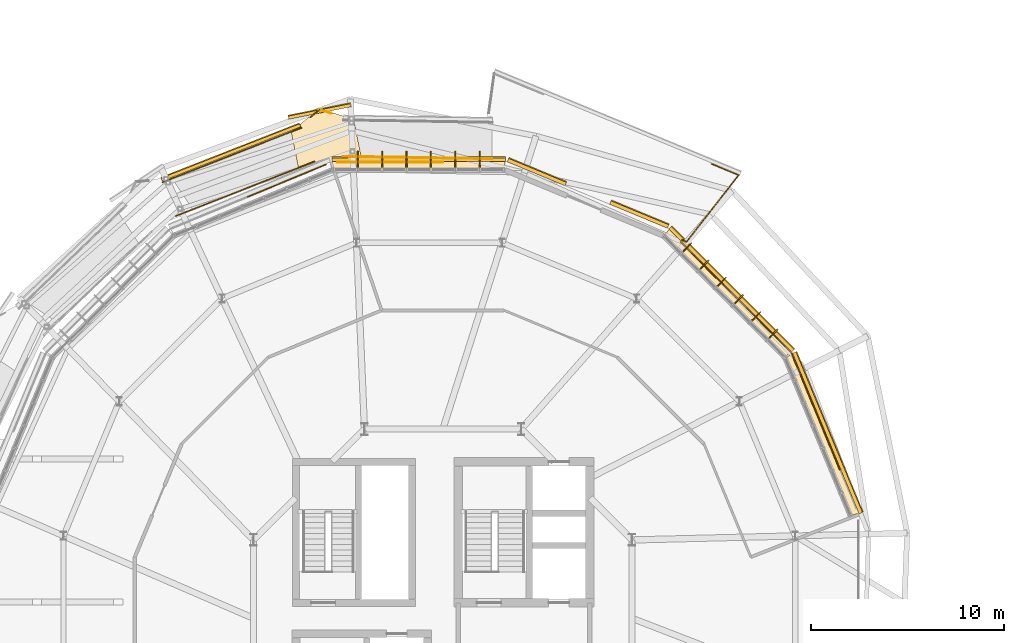
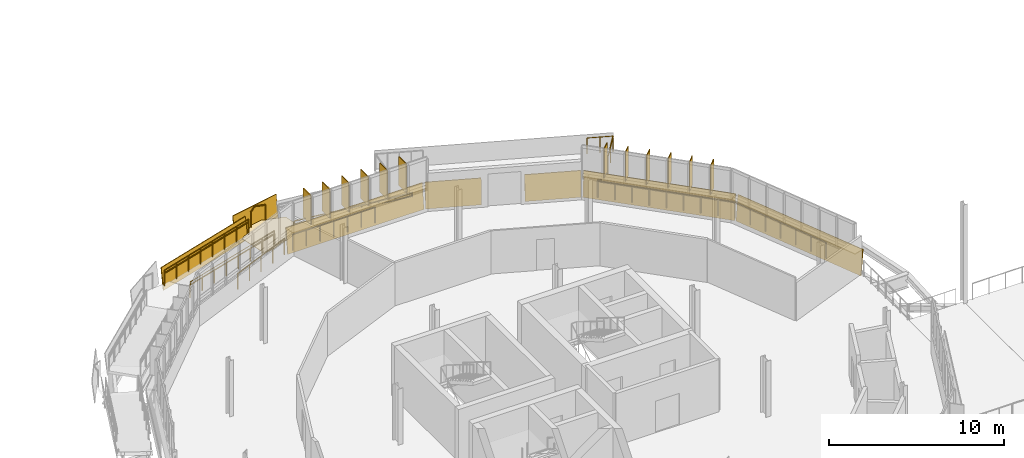
# One storey, part 58 of 61: 24 railings, 12 shading devices, 11 coverings.
"""IFC4 building model written with IfcOpenShell, lengths in metres."""

from ifc_helpers import new_model, si_unit, derived_unit, direction, frame, origin, origin_2d, place, context, subcontext, project, spatial, polyline, rectangle, circle, outline, extrude, material, layer, layer_set, type_object, element, save


model = new_model("IFC4")

# Units and contexts
model_context = context("Model", 3, precision=1e-05, world=origin(), true_north=direction((0.0, 1.0)))
body_context = subcontext(model_context, "Body", "Model", "MODEL_VIEW")
ifc_project = project(units=[si_unit("LENGTHUNIT", "METRE"), si_unit("AREAUNIT", "SQUARE_METRE"), si_unit("VOLUMEUNIT", "CUBIC_METRE"), si_unit("PLANEANGLEUNIT", "RADIAN"), si_unit("MASSUNIT", "GRAM", prefix="KILO"), derived_unit("THERMALTRANSMITTANCEUNIT", [(si_unit("MASSUNIT", "GRAM", prefix="KILO"), 1), (si_unit("TIMEUNIT", "SECOND"), -3), (si_unit("THERMODYNAMICTEMPERATUREUNIT", "KELVIN"), -1)])], contexts=[model_context])

# Site, building, storey
site_placement = place(None, origin())
site = spatial("IfcSite", under=ifc_project, at=site_placement, CompositionType="ELEMENT")
building_placement = place(site_placement, origin())
building = spatial("IfcBuilding", under=site, at=building_placement, Name="Makaiwela Harbour Ferry Terminal", CompositionType="ELEMENT")
storey_placement = place(building_placement, frame((0.0, 0.0, 13.800048828125)))
storey = spatial("IfcBuildingStorey", under=building, at=storey_placement, Name="L03", CompositionType="ELEMENT", Elevation=13.800048828125)

# Coverings
ifc_material_1 = material(Name="White glazed marine ceramic rainscreen tile", Category="masonry")
ifc_layer_1 = layer(ifc_material_1, 0.054931640625)
ifc_layer_set_1 = layer_set([ifc_layer_1], Name="White glazed marine ceramic rainscreen tile")
covering_type_1 = type_object("IfcCoveringType", Name="ENV-CLD-CERAMIC", PredefinedType="CLADDING", material=ifc_layer_set_1)
covering_1_placement = place(storey_placement, frame((59.336181640625, 73.011962890625, -0.219970703125), z_axis=(-0.918363703026, -0.380405778211, 0.109085071701), x_axis=(-0.38268931441, 0.923877096065, 1.923362e-06)))
element("IfcCovering", 1, at=covering_1_placement, inside=storey, type_object=covering_type_1, Name="Ceramic Spandrel Facet CLD-0065", PredefinedType="CLADDING", context=body_context, shape_type="SweptSolid", body=[
    extrude(outline(polyline([(0.0, 0.0), (8.991794224873951, 5.551115123125783e-17), (8.991782329005408, -1.7504187078919724), (0.00012023005471304336, -1.7504535042435059), (0.0, 0.0)])), origin(), (0.0, 0.0, -1.0), 0.054931640625),
])
covering_2_placement = place(storey_placement, frame((0.0, 0.0, 1.47998046875)))
element("IfcCovering", 2, at=covering_2_placement, inside=storey, type_object=covering_type_1, Name="Ceramic Ring Sill Cap CLD-0066", PredefinedType="CLADDING", context=body_context, shape_type="SweptSolid", body=[
    extrude(outline(polyline([(59.5126953125, 73.085205078125), (56.071533203125, 81.392333984375), (55.51904296875, 81.079345703125), (58.900390625, 72.915771484375), (59.5126953125, 73.085205078125)])), origin(), (0.0, 0.0, 1.0), 0.054931640625),
])
covering_3_placement = place(storey_placement, frame((55.85205078125, 81.3837890625, -0.219970703125), z_axis=(-0.702890633694, -0.702877139144, 0.109126002098), x_axis=(-0.707100074175, 0.707113488134, -1.04129e-06)))
element("IfcCovering", 3, at=covering_3_placement, inside=storey, type_object=covering_type_1, Name="Ceramic Spandrel Facet CLD-0067", PredefinedType="CLADDING", context=body_context, shape_type="SweptSolid", body=[
    extrude(outline(polyline([(0.0, 0.0), (8.99178803789204, 5.551115123125783e-17), (8.991960672202262, -1.7504534368345963), (-8.187152546211487e-10, -1.75043459803184), (0.0, 0.0)])), origin(), (0.0, 0.0, -1.0), 0.054931640625),
])
covering_4_placement = place(storey_placement, frame((0.0, 0.0, 1.47998046875)))
element("IfcCovering", 4, at=covering_4_placement, inside=storey, type_object=covering_type_1, Name="Ceramic Ring Sill Cap CLD-0068", PredefinedType="CLADDING", context=body_context, shape_type="SweptSolid", body=[
    extrude(outline(polyline([(55.987060546875, 81.518798828125), (49.62890625, 87.877197265625), (49.23828125, 87.376220703125), (55.486328125, 81.128173828125), (55.987060546875, 81.518798828125)])), origin(), (0.0, 0.0, 1.0), 0.054931640625),
])
covering_5_placement = place(storey_placement, frame((49.419921875, 87.7890625, -0.219970703125), z_axis=(-0.380427751783, -0.918351467833, 0.109111443952), x_axis=(-0.923867555576, 0.382712345947, -3.780127e-06)))
element("IfcCovering", 5, at=covering_5_placement, inside=storey, type_object=covering_type_1, Name="Ceramic Spandrel Facet CLD-0069", PredefinedType="CLADDING", context=body_context, shape_type="SweptSolid", body=[
    extrude(outline(polyline([(0.0, 0.0), (3.2358093839521156, -1.3877787807814457e-17), (3.2356906872928954, -1.7504535079381194), (-0.0002121322905549715, -1.750428897107779), (0.0, 0.0)])), origin(), (0.0, 0.0, -1.0), 0.054931640625),
])
covering_6_placement = place(storey_placement, frame((44.120849609375, 89.98388671875, -0.219970703125), z_axis=(-0.380415601142, -0.918359634062, 0.109085072001), x_axis=(-0.923872828966, 0.382699615747, 2.213537e-06)))
element("IfcCovering", 6, at=covering_6_placement, inside=storey, type_object=covering_type_1, Name="Ceramic Spandrel Facet CLD-0070", PredefinedType="CLADDING", context=body_context, shape_type="SweptSolid", body=[
    extrude(outline(polyline([(0.0, 0.0), (3.236128372608855, -2.7755575615628914e-17), (3.235924039053184, -1.750428900393527), (0.00011465385758886486, -1.7504433122695138), (0.0, 0.0)])), origin(), (0.0, 0.0, -1.0), 0.054931640625),
])
covering_7_placement = place(storey_placement, frame((41.0458984375, 91.2412109375, -0.219970703125), z_axis=(0.0, -0.994019050726, 0.109206807453), x_axis=(-1.0, 0.0, 0.0)))
element("IfcCovering", 7, at=covering_7_placement, inside=storey, type_object=covering_type_1, Name="Ceramic Spandrel Facet CLD-0071", PredefinedType="CLADDING", context=body_context, shape_type="SweptSolid", body=[
    extrude(outline(polyline([(0.0, 0.0), (8.99169921875, 0.0), (8.99169921875, -1.7504596447165148), (0.0, -1.7504596447165148), (0.0, 0.0)])), origin(), (0.0, 0.0, -1.0), 0.054931640625),
])
covering_8_placement = place(storey_placement, frame((0.0, 0.0, 1.47998046875)))
element("IfcCovering", 8, at=covering_8_placement, inside=storey, type_object=covering_type_1, Name="Ceramic Ring Sill Cap CLD-0072", PredefinedType="CLADDING", context=body_context, shape_type="SweptSolid", body=[
    extrude(outline(polyline([(41.0458984375, 91.432373046875), (32.05419921875, 91.432373046875), (32.1318359375, 90.802001953125), (40.968017578125, 90.802001953125), (41.0458984375, 91.432373046875)])), origin(), (0.0, 0.0, 1.0), 0.054931640625),
])
covering_9_placement = place(storey_placement, frame((33.06201171875, 94.069091796875, 0.31005859375), z_axis=(0.193902974623, -0.974845918111, 0.109895734106), x_axis=(-0.980786405875, -0.195084663802, -7.8825e-07)))
element("IfcCovering", 9, at=covering_9_placement, inside=storey, type_object=covering_type_1, Name="Coiled Ramp Ceramic Fascia CLD-R0051", PredefinedType="CLADDING", context=body_context, shape_type="SweptSolid", body=[
    extrude(outline(polyline([(0.0, 0.0), (3.299981357697011, -1.3877787807814457e-17), (3.3001569216304634, -1.5290391975005857), (-6.388587266958059e-05, -1.5290339631888759), (0.0, 0.0)])), origin(), (0.0, 0.0, -1.0), 0.054931640625),
])
covering_10_placement = place(storey_placement, frame((30.4521484375, 93.03662109375, 0.31005859375), z_axis=(0.371633810644, -0.921847960571, 0.109930197752), x_axis=(-0.927624552306, -0.363945177173, 0.08400355928)))
element("IfcCovering", 10, at=covering_10_placement, inside=storey, type_object=covering_type_1, Name="Coiled Ramp Ceramic Fascia CLD-R0052", PredefinedType="CLADDING", context=body_context, shape_type="SweptSolid", body=[
    extrude(outline(polyline([(0.0, 0.0), (7.736681773126253, -1.1102230246251565e-16), (7.86425771651954, -1.5239518755093933), (0.12778190554978686, -1.523700944581834), (0.0, 0.0)])), origin(), (0.0, 0.0, -1.0), 0.054931640625),
])

# Shading devices
ifc_material_2 = material(Name="Marine anodised aluminium 6063-T6", Category="aluminium")
ifc_layer_2 = layer(ifc_material_2, 0.054931640625)
ifc_layer_set_2 = layer_set([ifc_layer_2], Name="Marine anodised aluminium 6063-T6")
shading_device_type_1 = type_object("IfcShadingDeviceType", Name="ENV-FIN-650", PredefinedType="USERDEFINED", material=ifc_layer_set_2)
for number, where, z_axis, x_axis, name in (
    (11, (54.9033203125, 82.33056640625, 1.603515625), (0.0, 0.0, 1.0), (0.707106781187, 0.707106781187, 0.0), "Vertical Solar Fin SFN-0066"),
    (12, (54.0107421875, 83.22314453125, 1.603515625), (0.0, 0.0, 1.0), (0.707106781187, 0.707106781187, 0.0), "Vertical Solar Fin SFN-0067"),
    (13, (53.1181640625, 84.11572265625, 1.603515625), (0.0, 0.0, 1.0), (0.707106781187, 0.707106781187, 0.0), "Vertical Solar Fin SFN-0068"),
    (14, (52.2255859375, 85.00830078125, 1.603515625), (0.0, 0.0, 1.0), (0.707106781187, 0.707106781187, 0.0), "Vertical Solar Fin SFN-0069"),
    (15, (51.3330078125, 85.90087890625, 1.603515625), (0.0, 0.0, 1.0), (0.707106781187, 0.707106781187, 0.0), "Vertical Solar Fin SFN-0070"),
    (16, (50.4404296875, 86.79345703125, 1.603515625), (0.0, 0.0, 1.0), (0.707106781187, 0.707106781187, 0.0), "Vertical Solar Fin SFN-0071"),
):
    element("IfcShadingDevice", number, at=place(storey_placement, frame(where, z_axis=z_axis, x_axis=x_axis)), inside=storey, type_object=shading_device_type_1, Name=name, ObjectType="SOLAR FIN", PredefinedType="USERDEFINED", context=body_context, shape_type="SweptSolid", body=[
        extrude(rectangle(XDim=0.64990234375, YDim=0.054931640625, at=origin_2d()), origin(), (0.0, 0.0, 1.0), 2.02001953125),
    ])
ifc_material_3 = material(Name="Thermally modified Accoya timber and anodised aluminium", Category="wood")
ifc_layer_3 = layer(ifc_material_3, 0.06005859375)
ifc_layer_set_3 = layer_set([ifc_layer_3], Name="Thermally modified Accoya timber and anodised aluminium")
shading_device_type_2 = type_object("IfcShadingDeviceType", Name="ENV-FIN-850", PredefinedType="USERDEFINED", material=ifc_layer_set_3)
for number, where, z_axis, x_axis, name in (
    (17, (39.705810546875, 91.33984375, 1.603515625), (0.0, 0.0, 1.0), (0.0, 1.0, 0.0), "Vertical Solar Fin SFN-0072"),
    (18, (38.443603515625, 91.33984375, 1.603515625), (0.0, 0.0, 1.0), (0.0, 1.0, 0.0), "Vertical Solar Fin SFN-0073"),
    (19, (37.18115234375, 91.33984375, 1.603515625), (0.0, 0.0, 1.0), (0.0, 1.0, 0.0), "Vertical Solar Fin SFN-0074"),
    (20, (35.918701171875, 91.33984375, 1.603515625), (0.0, 0.0, 1.0), (0.0, 1.0, 0.0), "Vertical Solar Fin SFN-0075"),
    (21, (34.656494140625, 91.33984375, 1.603515625), (0.0, 0.0, 1.0), (0.0, 1.0, 0.0), "Vertical Solar Fin SFN-0076"),
    (22, (33.394287109375, 91.33984375, 1.603515625), (0.0, 0.0, 1.0), (0.0, 1.0, 0.0), "Vertical Solar Fin SFN-0077"),
):
    element("IfcShadingDevice", number, at=place(storey_placement, frame(where, z_axis=z_axis, x_axis=x_axis)), inside=storey, type_object=shading_device_type_2, Name=name, ObjectType="SOLAR FIN", PredefinedType="USERDEFINED", context=body_context, shape_type="SweptSolid", body=[
        extrude(rectangle(XDim=0.85009765625, YDim=0.06005859375, at=origin_2d()), origin(), (0.0, 0.0, 1.0), 2.02001953125),
    ])

# Covering
ifc_material_4 = material(Name="Honed coral-aggregate epoxy terrazzo flooring", Category="concrete")
ifc_layer_4 = layer(ifc_material_4, 0.02490234375)
ifc_layer_set_4 = layer_set([ifc_layer_4], Name="Honed coral-aggregate epoxy terrazzo flooring")
covering_type_2 = type_object("IfcCoveringType", Name="INT-COV-FLR", PredefinedType="FLOORING", material=ifc_layer_set_4)
covering_11_placement = place(storey_placement, frame((0.0, 0.0, 0.64990234375)))
element("IfcCovering", 23, at=covering_11_placement, inside=storey, type_object=covering_type_2, Name="Ramp Landing Terrazzo RMP-COIL-L03-L1", PredefinedType="FLOORING", context=body_context, shape_type="SweptSolid", body=[
    extrude(outline(polyline([(31.001708984375, 91.021728515625), (31.910400390625, 91.398193359375), (31.91064453125, 91.398193359375), (31.910888671875, 91.398193359375), (31.9111328125, 91.398193359375), (31.911376953125, 91.398193359375), (32.89501953125, 91.398193359375), (33.566650390625, 91.531982421875), (33.188232421875, 93.4345703125), (31.400146484375, 93.966064453125), (29.95166015625, 92.790771484375), (30.330078125, 90.88818359375), (31.001708984375, 91.021728515625)])), origin(), (0.0, 0.0, 1.0), 0.025146484375),
])

# Railings
ifc_material_5 = material(Name="Marine grade 316L brushed stainless steel", Category="steel")
railing_type_1 = type_object("IfcRailingType", Name="INT-RL-GRD110", PredefinedType="GUARDRAIL", material=ifc_material_5)
railing_1_placement = place(storey_placement, frame((40.33154296875, 91.377685546875, 0.0)))
element("IfcRailing", 24, at=railing_1_placement, inside=storey, type_object=railing_type_1, Name="Ramp guardrail RL-0193", PredefinedType="GUARDRAIL", context=body_context, shape_type="SweptSolid", body=[
    extrude(circle(Radius=0.02392578125, at=origin_2d()), frame((0.0, 0.0, 1.09619140625), z_axis=(-0.996327437629, 0.015898001495, 0.084136143101), x_axis=(-0.015954572122, -0.999872717714, 0.0)), (0.0, 0.0, 1.0), 7.724365234375),
    extrude(circle(Radius=0.02099609375, at=origin_2d()), origin(), (0.0, 0.0, 1.0), 1.072021484375),
    extrude(circle(Radius=0.02099609375, at=origin_2d()), frame((-1.099365234375, 0.017578125, 0.0927734375)), (0.0, 0.0, 1.0), 1.072021484375),
    extrude(circle(Radius=0.02099609375, at=origin_2d()), frame((-2.198974609375, 0.03515625, 0.185791015625)), (0.0, 0.0, 1.0), 1.072021484375),
    extrude(circle(Radius=0.02099609375, at=origin_2d()), frame((-3.29833984375, 0.052734375, 0.278564453125)), (0.0, 0.0, 1.0), 1.072021484375),
    extrude(circle(Radius=0.02099609375, at=origin_2d()), frame((-4.397705078125, 0.070068359375, 0.371337890625)), (0.0, 0.0, 1.0), 1.072021484375),
    extrude(circle(Radius=0.02099609375, at=origin_2d()), frame((-5.4970703125, 0.087646484375, 0.464111328125)), (0.0, 0.0, 1.0), 1.072021484375),
    extrude(circle(Radius=0.02099609375, at=origin_2d()), frame((-6.5966796875, 0.105224609375, 0.55712890625)), (0.0, 0.0, 1.0), 1.072021484375),
    extrude(circle(Radius=0.02099609375, at=origin_2d()), frame((-7.696044921875, 0.122802734375, 0.64990234375)), (0.0, 0.0, 1.0), 1.072021484375),
])
for number, where, name in (
    (25, (31.159423828125, 91.2333984375, 0.64990234375), "Ramp guardrail RL-0197"),
    (26, (30.472900390625, 92.983642578125, 0.64990234375), "Ramp guardrail RL-0199"),
):
    element("IfcRailing", number, at=place(storey_placement, frame(where)), inside=storey, type_object=railing_type_1, Name=name, PredefinedType="GUARDRAIL", context=body_context, shape_type="SweptSolid", body=[
        extrude(circle(Radius=0.02392578125, at=origin_2d()), frame((0.0, 0.0, 1.09619140625), z_axis=(-0.927620513945, -0.36394786145, 0.084036517388), x_axis=(0.365239833246, -0.930913456886, 0.0)), (0.0, 0.0, 1.0), 7.736572265625),
        extrude(circle(Radius=0.02099609375, at=origin_2d()), origin(), (0.0, 0.0, 1.0), 1.072021484375),
        extrude(circle(Radius=0.02099609375, at=origin_2d()), frame((-1.025146484375, -0.40234375, 0.0927734375)), (0.0, 0.0, 1.0), 1.072021484375),
        extrude(circle(Radius=0.02099609375, at=origin_2d()), frame((-2.050537109375, -0.804443359375, 0.185791015625)), (0.0, 0.0, 1.0), 1.072021484375),
        extrude(circle(Radius=0.02099609375, at=origin_2d()), frame((-3.07568359375, -1.206787109375, 0.278564453125)), (0.0, 0.0, 1.0), 1.072021484375),
        extrude(circle(Radius=0.02099609375, at=origin_2d()), frame((-4.100830078125, -1.60888671875, 0.37158203125)), (0.0, 0.0, 1.0), 1.072021484375),
        extrude(circle(Radius=0.02099609375, at=origin_2d()), frame((-5.1259765625, -2.01123046875, 0.46435546875)), (0.0, 0.0, 1.0), 1.072021484375),
        extrude(circle(Radius=0.02099609375, at=origin_2d()), frame((-6.1513671875, -2.413330078125, 0.557373046875)), (0.0, 0.0, 1.0), 1.072021484375),
        extrude(circle(Radius=0.02099609375, at=origin_2d()), frame((-7.176513671875, -2.815673828125, 0.650146484375)), (0.0, 0.0, 1.0), 1.072021484375),
    ])
railing_2_placement = place(storey_placement, frame((27.69775390625, 89.406494140625, 0.0)))
element("IfcRailing", 27, at=railing_2_placement, inside=storey, type_object=railing_type_1, Name="Deck edge guardrail RL-0642", PredefinedType="GUARDRAIL", context=body_context, shape_type="SweptSolid", body=[
    extrude(circle(Radius=0.02392578125, at=origin_2d()), frame((0.0, 0.0, 1.09619140625), z_axis=(0.923854835279, 0.382743051318, 0.0), x_axis=(-0.382743051318, 0.923854835279, 0.0)), (0.0, 0.0, 1.0), 2.18603515625),
    extrude(circle(Radius=0.02099609375, at=origin_2d()), origin(), (0.0, 0.0, 1.0), 1.072021484375),
    extrude(circle(Radius=0.02099609375, at=origin_2d()), frame((1.009765625, 0.41845703125, 0.0)), (0.0, 0.0, 1.0), 1.072021484375),
    extrude(circle(Radius=0.02099609375, at=origin_2d()), frame((2.01953125, 0.836669921875, 0.0)), (0.0, 0.0, 1.0), 1.072021484375),
])
railing_3_placement = place(storey_placement, frame((29.71728515625, 90.2431640625, 0.0)))
element("IfcRailing", 28, at=railing_3_placement, inside=storey, type_object=railing_type_1, Name="Deck edge guardrail RL-0643", PredefinedType="GUARDRAIL", context=body_context, shape_type="SweptSolid", body=[
    extrude(circle(Radius=0.02392578125, at=origin_2d()), frame((0.0, 0.0, 1.09619140625), z_axis=(0.923894323606, 0.382647721552, 0.0), x_axis=(-0.382647721552, 0.923894323606, 0.0)), (0.0, 0.0, 1.0), 2.185791015625),
    extrude(circle(Radius=0.02099609375, at=origin_2d()), origin(), (0.0, 0.0, 1.0), 1.072021484375),
    extrude(circle(Radius=0.02099609375, at=origin_2d()), frame((1.009765625, 0.418212890625, 0.0)), (0.0, 0.0, 1.0), 1.072021484375),
    extrude(circle(Radius=0.02099609375, at=origin_2d()), frame((2.01953125, 0.83642578125, 0.0)), (0.0, 0.0, 1.0), 1.072021484375),
])
for number, where, name in (
    (29, (32.351318359375, 91.1982421875, 0.0), "Deck edge guardrail RL-0644"),
    (30, (34.1640625, 91.1982421875, 0.0), "Deck edge guardrail RL-0645"),
    (31, (35.976806640625, 91.1982421875, 0.0), "Deck edge guardrail RL-0646"),
):
    element("IfcRailing", number, at=place(storey_placement, frame(where)), inside=storey, type_object=railing_type_1, Name=name, PredefinedType="GUARDRAIL", context=body_context, shape_type="SweptSolid", body=[
        extrude(circle(Radius=0.02392578125, at=origin_2d()), frame((0.0, 0.0, 1.09619140625), z_axis=(1.0, 0.0, 0.0), x_axis=(0.0, 1.0, 0.0)), (0.0, 0.0, 1.0), 1.812744140625),
        extrude(circle(Radius=0.02099609375, at=origin_2d()), origin(), (0.0, 0.0, 1.0), 1.072021484375),
        extrude(circle(Radius=0.02099609375, at=origin_2d()), frame((0.90625, 0.0, 0.0)), (0.0, 0.0, 1.0), 1.072021484375),
        extrude(circle(Radius=0.02099609375, at=origin_2d()), frame((1.812744140625, 0.0, 0.0)), (0.0, 0.0, 1.0), 1.072021484375),
    ])
railing_4_placement = place(storey_placement, frame((51.7197265625, 91.110107421875, 0.0)))
element("IfcRailing", 32, at=railing_4_placement, inside=storey, type_object=railing_type_1, Name="Deck edge guardrail RL-0650", PredefinedType="GUARDRAIL", context=body_context, shape_type="SweptSolid", body=[
    extrude(circle(Radius=0.02392578125, at=origin_2d()), frame((0.0, 0.0, 1.09619140625), z_axis=(0.923890359819, -0.382657291887, 0.0), x_axis=(0.382657291887, 0.923890359819, 0.0)), (0.0, 0.0, 1.0), 1.505615234375),
    extrude(circle(Radius=0.02099609375, at=origin_2d()), origin(), (0.0, 0.0, 1.0), 1.072021484375),
    extrude(circle(Radius=0.02099609375, at=origin_2d()), frame((0.695556640625, -0.2880859375, 0.0)), (0.0, 0.0, 1.0), 1.072021484375),
    extrude(circle(Radius=0.02099609375, at=origin_2d()), frame((1.39111328125, -0.576171875, 0.0)), (0.0, 0.0, 1.0), 1.072021484375),
])
railing_5_placement = place(storey_placement, frame((53.11083984375, 90.533935546875, 0.0)))
element("IfcRailing", 33, at=railing_5_placement, inside=storey, type_object=railing_type_1, Name="Deck edge guardrail RL-0651", PredefinedType="GUARDRAIL", context=body_context, shape_type="SweptSolid", body=[
    extrude(circle(Radius=0.02392578125, at=origin_2d()), frame((0.0, 0.0, 1.09619140625), z_axis=(-0.6172953431, -0.786731504001, 0.0), x_axis=(0.786731504001, -0.6172953431, 0.0)), (0.0, 0.0, 1.0), 2.193115234375),
    extrude(circle(Radius=0.02099609375, at=origin_2d()), origin(), (0.0, 0.0, 1.0), 1.072021484375),
    extrude(circle(Radius=0.02099609375, at=origin_2d()), frame((-0.6767578125, -0.86279296875, 0.0)), (0.0, 0.0, 1.0), 1.072021484375),
    extrude(circle(Radius=0.02099609375, at=origin_2d()), frame((-1.353759765625, -1.725341796875, 0.0)), (0.0, 0.0, 1.0), 1.072021484375),
])
railing_6_placement = place(storey_placement, frame((51.757080078125, 88.80859375, 0.0)))
element("IfcRailing", 34, at=railing_6_placement, inside=storey, type_object=railing_type_1, Name="Deck edge guardrail RL-0652", PredefinedType="GUARDRAIL", context=body_context, shape_type="SweptSolid", body=[
    extrude(circle(Radius=0.02392578125, at=origin_2d()), frame((0.0, 0.0, 1.09619140625), z_axis=(-0.617226431981, -0.786785569049, 0.0), x_axis=(0.786785569049, -0.617226431981, 0.0)), (0.0, 0.0, 1.0), 2.19287109375),
    extrude(circle(Radius=0.02099609375, at=origin_2d()), origin(), (0.0, 0.0, 1.0), 1.072021484375),
    extrude(circle(Radius=0.02099609375, at=origin_2d()), frame((-0.6767578125, -0.86279296875, 0.0)), (0.0, 0.0, 1.0), 1.072021484375),
    extrude(circle(Radius=0.02099609375, at=origin_2d()), frame((-1.353515625, -1.725341796875, 0.0)), (0.0, 0.0, 1.0), 1.072021484375),
])
railing_7_placement = place(storey_placement, frame((50.403564453125, 87.083251953125, 0.0)))
element("IfcRailing", 35, at=railing_7_placement, inside=storey, type_object=railing_type_1, Name="Deck edge guardrail RL-0653", PredefinedType="GUARDRAIL", context=body_context, shape_type="SweptSolid", body=[
    extrude(circle(Radius=0.02392578125, at=origin_2d()), frame((0.0, 0.0, 1.09619140625), z_axis=(-0.922328358323, 0.38640703854, 0.0), x_axis=(-0.38640703854, -0.922328358323, 0.0)), (0.0, 0.0, 1.0), 0.25146484375),
    extrude(circle(Radius=0.02099609375, at=origin_2d()), origin(), (0.0, 0.0, 1.0), 1.072021484375),
    extrude(circle(Radius=0.02099609375, at=origin_2d()), frame((-0.23193359375, 0.09716796875, 0.0)), (0.0, 0.0, 1.0), 1.072021484375),
])
for number, where, name in (
    (36, (50.1005859375, 87.074462890625, 0.0), "Deck edge guardrail RL-0654"),
    (37, (51.536376953125, 85.638671875, 0.0), "Deck edge guardrail RL-0655"),
):
    element("IfcRailing", number, at=place(storey_placement, frame(where)), inside=storey, type_object=railing_type_1, Name=name, PredefinedType="GUARDRAIL", context=body_context, shape_type="SweptSolid", body=[
        extrude(circle(Radius=0.02392578125, at=origin_2d()), frame((0.0, 0.0, 1.09619140625), z_axis=(0.707106781187, -0.707106781187, 0.0), x_axis=(0.707106781187, 0.707106781187, 0.0)), (0.0, 0.0, 1.0), 2.030517578125),
        extrude(circle(Radius=0.02099609375, at=origin_2d()), origin(), (0.0, 0.0, 1.0), 1.072021484375),
        extrude(circle(Radius=0.02099609375, at=origin_2d()), frame((0.7177734375, -0.7177734375, 0.0)), (0.0, 0.0, 1.0), 1.072021484375),
        extrude(circle(Radius=0.02099609375, at=origin_2d()), frame((1.435791015625, -1.435791015625, 0.0)), (0.0, 0.0, 1.0), 1.072021484375),
    ])
railing_8_placement = place(storey_placement, frame((52.97216796875, 84.202880859375, 0.0)))
element("IfcRailing", 38, at=railing_8_placement, inside=storey, type_object=railing_type_1, Name="Deck edge guardrail RL-0656", PredefinedType="GUARDRAIL", context=body_context, shape_type="SweptSolid", body=[
    extrude(circle(Radius=0.02392578125, at=origin_2d()), frame((0.0, 0.0, 1.09619140625), z_axis=(0.707046655616, -0.707166901645, 0.0), x_axis=(0.707166901645, 0.707046655616, 0.0)), (0.0, 0.0, 1.0), 2.0302734375),
    extrude(circle(Radius=0.02099609375, at=origin_2d()), origin(), (0.0, 0.0, 1.0), 1.072021484375),
    extrude(circle(Radius=0.02099609375, at=origin_2d()), frame((0.7177734375, -0.7177734375, 0.0)), (0.0, 0.0, 1.0), 1.072021484375),
    extrude(circle(Radius=0.02099609375, at=origin_2d()), frame((1.435546875, -1.435791015625, 0.0)), (0.0, 0.0, 1.0), 1.072021484375),
])
railing_9_placement = place(storey_placement, frame((54.40771484375, 82.76708984375, 0.0)))
element("IfcRailing", 39, at=railing_9_placement, inside=storey, type_object=railing_type_1, Name="Deck edge guardrail RL-0657", PredefinedType="GUARDRAIL", context=body_context, shape_type="SweptSolid", body=[
    extrude(circle(Radius=0.02392578125, at=origin_2d()), frame((0.0, 0.0, 1.09619140625), z_axis=(0.707166901645, -0.707046655616, 0.0), x_axis=(0.707046655616, 0.707166901645, 0.0)), (0.0, 0.0, 1.0), 2.0302734375),
    extrude(circle(Radius=0.02099609375, at=origin_2d()), origin(), (0.0, 0.0, 1.0), 1.072021484375),
    extrude(circle(Radius=0.02099609375, at=origin_2d()), frame((0.7177734375, -0.7177734375, 0.0)), (0.0, 0.0, 1.0), 1.072021484375),
    extrude(circle(Radius=0.02099609375, at=origin_2d()), frame((1.435791015625, -1.435546875, 0.0)), (0.0, 0.0, 1.0), 1.072021484375),
])
railing_10_placement = place(storey_placement, frame((55.843505859375, 81.33154296875, 0.0)))
element("IfcRailing", 40, at=railing_10_placement, inside=storey, type_object=railing_type_1, Name="Deck edge guardrail RL-0658", PredefinedType="GUARDRAIL", context=body_context, shape_type="SweptSolid", body=[
    extrude(circle(Radius=0.02392578125, at=origin_2d()), frame((0.0, 0.0, 1.09619140625), z_axis=(0.382710353709, -0.923868380866, 0.0), x_axis=(0.923868380866, 0.382710353709, 0.0)), (0.0, 0.0, 1.0), 2.184814453125),
    extrude(circle(Radius=0.02099609375, at=origin_2d()), origin(), (0.0, 0.0, 1.0), 1.072021484375),
    extrude(circle(Radius=0.02099609375, at=origin_2d()), frame((0.41796875, -1.00927734375, 0.0)), (0.0, 0.0, 1.0), 1.072021484375),
    extrude(circle(Radius=0.02099609375, at=origin_2d()), frame((0.836181640625, -2.0185546875, 0.0)), (0.0, 0.0, 1.0), 1.072021484375),
])
railing_11_placement = place(storey_placement, frame((56.6796875, 79.31298828125, 0.0)))
element("IfcRailing", 41, at=railing_11_placement, inside=storey, type_object=railing_type_1, Name="Deck edge guardrail RL-0659", PredefinedType="GUARDRAIL", context=body_context, shape_type="SweptSolid", body=[
    extrude(circle(Radius=0.02392578125, at=origin_2d()), frame((0.0, 0.0, 1.09619140625), z_axis=(0.382670848991, -0.923884744615, 0.0), x_axis=(0.923884744615, 0.382670848991, 0.0)), (0.0, 0.0, 1.0), 2.18505859375),
    extrude(circle(Radius=0.02099609375, at=origin_2d()), origin(), (0.0, 0.0, 1.0), 1.072021484375),
    extrude(circle(Radius=0.02099609375, at=origin_2d()), frame((0.41796875, -1.00927734375, 0.0)), (0.0, 0.0, 1.0), 1.072021484375),
    extrude(circle(Radius=0.02099609375, at=origin_2d()), frame((0.836181640625, -2.018798828125, 0.0)), (0.0, 0.0, 1.0), 1.072021484375),
])
railing_12_placement = place(storey_placement, frame((57.515869140625, 77.294189453125, 0.0)))
element("IfcRailing", 42, at=railing_12_placement, inside=storey, type_object=railing_type_1, Name="Deck edge guardrail RL-0660", PredefinedType="GUARDRAIL", context=body_context, shape_type="SweptSolid", body=[
    extrude(circle(Radius=0.02392578125, at=origin_2d()), frame((0.0, 0.0, 1.09619140625), z_axis=(0.382710353709, -0.923868380866, 0.0), x_axis=(0.923868380866, 0.382710353709, 0.0)), (0.0, 0.0, 1.0), 2.184814453125),
    extrude(circle(Radius=0.02099609375, at=origin_2d()), origin(), (0.0, 0.0, 1.0), 1.072021484375),
    extrude(circle(Radius=0.02099609375, at=origin_2d()), frame((0.41796875, -1.00927734375, 0.0)), (0.0, 0.0, 1.0), 1.072021484375),
    extrude(circle(Radius=0.02099609375, at=origin_2d()), frame((0.836181640625, -2.0185546875, 0.0)), (0.0, 0.0, 1.0), 1.072021484375),
])
railing_13_placement = place(storey_placement, frame((30.94921875, 93.5419921875, 0.64990234375)))
element("IfcRailing", 43, at=railing_13_placement, inside=storey, type_object=railing_type_1, Name="Deck edge guardrail RL-0747", PredefinedType="GUARDRAIL", context=body_context, shape_type="SweptSolid", body=[
    extrude(circle(Radius=0.02392578125, at=origin_2d()), frame((0.0, 0.0, 1.09619140625), z_axis=(0.776516422751, 0.630097012529, 0.0), x_axis=(-0.630097012529, 0.776516422751, 0.0)), (0.0, 0.0, 1.0), 0.593505859375),
    extrude(circle(Radius=0.02099609375, at=origin_2d()), origin(), (0.0, 0.0, 1.0), 1.072021484375),
    extrude(circle(Radius=0.02099609375, at=origin_2d()), frame((0.4609375, 0.3740234375, 0.0)), (0.0, 0.0, 1.0), 1.072021484375),
])
railing_14_placement = place(storey_placement, frame((31.41015625, 93.916015625, 0.64990234375)))
element("IfcRailing", 44, at=railing_14_placement, inside=storey, type_object=railing_type_1, Name="Deck edge guardrail RL-0748", PredefinedType="GUARDRAIL", context=body_context, shape_type="SweptSolid", body=[
    extrude(circle(Radius=0.02392578125, at=origin_2d()), frame((0.0, 0.0, 1.09619140625), z_axis=(0.958570222788, -0.284856328671, 0.0), x_axis=(0.284856328671, 0.958570222788, 0.0)), (0.0, 0.0, 1.0), 0.638427734375),
    extrude(circle(Radius=0.02099609375, at=origin_2d()), origin(), (0.0, 0.0, 1.0), 1.072021484375),
    extrude(circle(Radius=0.02099609375, at=origin_2d()), frame((0.612060546875, -0.181884765625, 0.0)), (0.0, 0.0, 1.0), 1.072021484375),
])
railing_type_2 = type_object("IfcRailingType", Name="INT-RL-HND090", PredefinedType="HANDRAIL", material=ifc_material_5)
railing_15_placement = place(storey_placement, frame((40.33154296875, 91.377685546875, 0.0)))
element("IfcRailing", 45, at=railing_15_placement, inside=storey, type_object=railing_type_2, Name="Ramp handrail RL-0194", PredefinedType="HANDRAIL", context=body_context, shape_type="SweptSolid", body=[
    extrude(circle(Radius=0.02392578125, at=origin_2d()), frame((0.0, 0.0, 0.89111328125), z_axis=(-0.996327437629, 0.015898001495, 0.084136143101), x_axis=(-0.015954572122, -0.999872717714, 0.0)), (0.0, 0.0, 1.0), 7.724365234375),
    extrude(circle(Radius=0.02099609375, at=origin_2d()), origin(), (0.0, 0.0, 1.0), 0.866943359375),
    extrude(circle(Radius=0.02099609375, at=origin_2d()), frame((-1.099365234375, 0.017578125, 0.0927734375)), (0.0, 0.0, 1.0), 0.866943359375),
    extrude(circle(Radius=0.02099609375, at=origin_2d()), frame((-2.198974609375, 0.03515625, 0.185791015625)), (0.0, 0.0, 1.0), 0.866943359375),
    extrude(circle(Radius=0.02099609375, at=origin_2d()), frame((-3.29833984375, 0.052734375, 0.278564453125)), (0.0, 0.0, 1.0), 0.866943359375),
    extrude(circle(Radius=0.02099609375, at=origin_2d()), frame((-4.397705078125, 0.070068359375, 0.371337890625)), (0.0, 0.0, 1.0), 0.866943359375),
    extrude(circle(Radius=0.02099609375, at=origin_2d()), frame((-5.4970703125, 0.087646484375, 0.464111328125)), (0.0, 0.0, 1.0), 0.866943359375),
    extrude(circle(Radius=0.02099609375, at=origin_2d()), frame((-6.5966796875, 0.105224609375, 0.55712890625)), (0.0, 0.0, 1.0), 0.866943359375),
    extrude(circle(Radius=0.02099609375, at=origin_2d()), frame((-7.696044921875, 0.122802734375, 0.64990234375)), (0.0, 0.0, 1.0), 0.866943359375),
])
for number, where, name in (
    (46, (31.159423828125, 91.2333984375, 0.64990234375), "Ramp handrail RL-0198"),
    (47, (30.472900390625, 92.983642578125, 0.64990234375), "Ramp handrail RL-0200"),
):
    element("IfcRailing", number, at=place(storey_placement, frame(where)), inside=storey, type_object=railing_type_2, Name=name, PredefinedType="HANDRAIL", context=body_context, shape_type="SweptSolid", body=[
        extrude(circle(Radius=0.02392578125, at=origin_2d()), frame((0.0, 0.0, 0.89111328125), z_axis=(-0.927620513945, -0.36394786145, 0.084036517388), x_axis=(0.365239833246, -0.930913456886, 0.0)), (0.0, 0.0, 1.0), 7.736572265625),
        extrude(circle(Radius=0.02099609375, at=origin_2d()), origin(), (0.0, 0.0, 1.0), 0.866943359375),
        extrude(circle(Radius=0.02099609375, at=origin_2d()), frame((-1.025146484375, -0.40234375, 0.0927734375)), (0.0, 0.0, 1.0), 0.866943359375),
        extrude(circle(Radius=0.02099609375, at=origin_2d()), frame((-2.050537109375, -0.804443359375, 0.185791015625)), (0.0, 0.0, 1.0), 0.866943359375),
        extrude(circle(Radius=0.02099609375, at=origin_2d()), frame((-3.07568359375, -1.206787109375, 0.278564453125)), (0.0, 0.0, 1.0), 0.866943359375),
        extrude(circle(Radius=0.02099609375, at=origin_2d()), frame((-4.100830078125, -1.60888671875, 0.37158203125)), (0.0, 0.0, 1.0), 0.866943359375),
        extrude(circle(Radius=0.02099609375, at=origin_2d()), frame((-5.1259765625, -2.01123046875, 0.46435546875)), (0.0, 0.0, 1.0), 0.866943359375),
        extrude(circle(Radius=0.02099609375, at=origin_2d()), frame((-6.1513671875, -2.413330078125, 0.557373046875)), (0.0, 0.0, 1.0), 0.866943359375),
        extrude(circle(Radius=0.02099609375, at=origin_2d()), frame((-7.176513671875, -2.815673828125, 0.650146484375)), (0.0, 0.0, 1.0), 0.866943359375),
    ])

save(model, "model.ifc")
